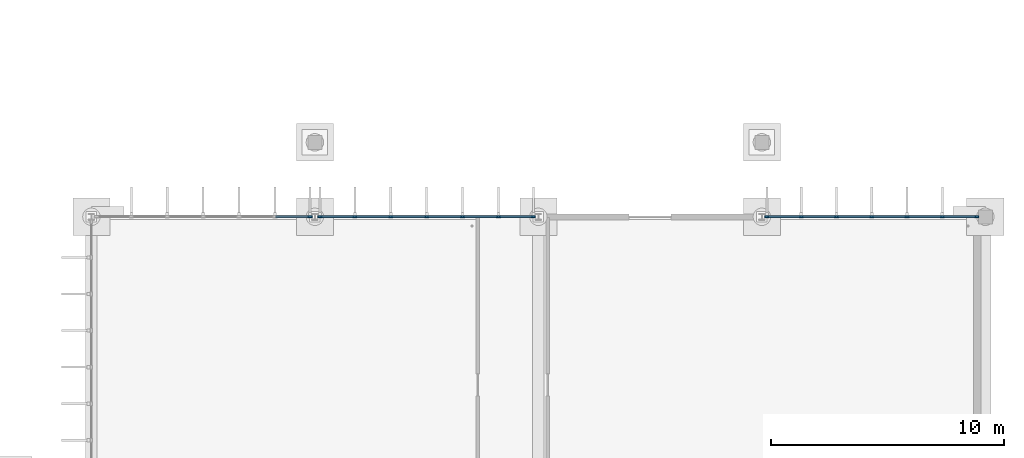
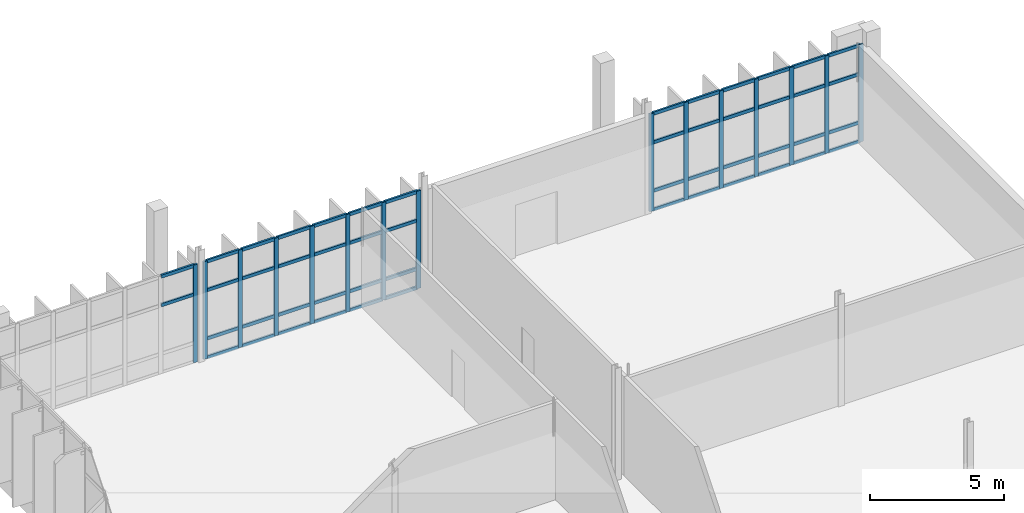
# One storey, part 40 of 111: 65 members, 3 elements without a shape of their own.
"""IFC4 building model written with IfcOpenShell, lengths in metres."""

from ifc_helpers import new_model, si_unit, direction, frame, origin, origin_2d, place, context, subcontext, project, spatial, rectangle, extrude, material, material_profile, profile_set, type_object, element, aggregate, save


model = new_model("IFC4")

# Units and contexts
model_context = context("Model", 3, precision=1e-05, world=origin(), true_north=direction((0.0, 1.0)))
body_context = subcontext(model_context, "Body", "Model", "MODEL_VIEW")
ifc_project = project(units=[si_unit("LENGTHUNIT", "METRE"), si_unit("AREAUNIT", "SQUARE_METRE"), si_unit("VOLUMEUNIT", "CUBIC_METRE"), si_unit("PLANEANGLEUNIT", "RADIAN"), si_unit("MASSUNIT", "GRAM", prefix="KILO")], contexts=[model_context])

# Site, building, storey
site_placement = place(None, origin())
site = spatial("IfcSite", under=ifc_project, at=site_placement, CompositionType="ELEMENT")
building_placement = place(site_placement, origin())
building = spatial("IfcBuilding", under=site, at=building_placement, Name="Dunescarp Central Library", CompositionType="ELEMENT")
storey_placement = place(building_placement, origin())
storey = spatial("IfcBuildingStorey", under=building, at=storey_placement, Name="L00", CompositionType="ELEMENT", Elevation=0.0)

# Curtain wall, member
ifc_material = material(Name="Marine-grade anodised aluminium 6063-T6", Category="aluminium")
curtain_wall_type = type_object("IfcCurtainWallType", Name="ARC-CW-STICK", PredefinedType="NOTDEFINED", material=ifc_material)
curtain_wall_1_placement = place(storey_placement, origin())
curtain_wall_1 = element("IfcCurtainWall", 1, at=curtain_wall_1_placement, inside=storey, type_object=curtain_wall_type, Name="L00 curtain wall CW-V5-149", PredefinedType="NOTDEFINED")
ifc_material_profile_1 = material_profile(ifc_material, rectangle(XDim=0.080078125, YDim=0.179931640625, at=origin_2d()), Name="AL 80x180")
ifc_profile_set_1 = profile_set([ifc_material_profile_1], Name="Marine-grade anodised aluminium 6063-T6")
member_type_1 = type_object("IfcMemberType", Name="ARC-CWM-180", PredefinedType="MULLION", material=ifc_profile_set_1)
member_1_placement = place(storey_placement, frame((138.985107421875, 44.800048828125, 0.0), z_axis=(0.0, 0.0, 1.0), x_axis=(0.0, 1.0, 0.0)))
member_1 = element("IfcMember", 2, at=member_1_placement, type_object=member_type_1, Name="CW-V5-149 mullion 7", PredefinedType="MULLION", context=body_context, shape_type="SweptSolid", body=[
    extrude(rectangle(XDim=0.080078125, YDim=0.179931640625, at=origin_2d()), origin(), (0.0, 0.0, 1.0), 4.44189453125),
])

# Curtain wall, members
curtain_wall_2_placement = place(storey_placement, origin())
curtain_wall_2 = element("IfcCurtainWall", 3, at=curtain_wall_2_placement, inside=storey, type_object=curtain_wall_type, Name="L00 curtain wall CW-V5-150", PredefinedType="NOTDEFINED")
member_2_placement = place(storey_placement, frame((139.4150390625, 44.800048828125, 0.0), z_axis=(0.0, 0.0, 1.0), x_axis=(0.0, 1.0, 0.0)))
member_2 = element("IfcMember", 4, at=member_2_placement, type_object=member_type_1, Name="CW-V5-150 mullion 1", PredefinedType="MULLION", context=body_context, shape_type="SweptSolid", body=[
    extrude(rectangle(XDim=0.080078125, YDim=0.179931640625, at=origin_2d()), origin(), (0.0, 0.0, 1.0), 4.44189453125),
])
member_3_placement = place(storey_placement, frame((140.916748046875, 44.800048828125, 0.0), z_axis=(0.0, 0.0, 1.0), x_axis=(0.0, 1.0, 0.0)))
member_3 = element("IfcMember", 5, at=member_3_placement, type_object=member_type_1, Name="CW-V5-150 mullion 2", PredefinedType="MULLION", context=body_context, shape_type="SweptSolid", body=[
    extrude(rectangle(XDim=0.080078125, YDim=0.179931640625, at=origin_2d()), origin(), (0.0, 0.0, 1.0), 4.44189453125),
])
member_4_placement = place(storey_placement, frame((142.458251953125, 44.800048828125, 0.0), z_axis=(0.0, 0.0, 1.0), x_axis=(0.0, 1.0, 0.0)))
member_4 = element("IfcMember", 6, at=member_4_placement, type_object=member_type_1, Name="CW-V5-150 mullion 3", PredefinedType="MULLION", context=body_context, shape_type="SweptSolid", body=[
    extrude(rectangle(XDim=0.080078125, YDim=0.179931640625, at=origin_2d()), origin(), (0.0, 0.0, 1.0), 4.44189453125),
])
member_5_placement = place(storey_placement, frame((144.0, 44.800048828125, 0.0), z_axis=(0.0, 0.0, 1.0), x_axis=(0.0, 1.0, 0.0)))
member_5 = element("IfcMember", 7, at=member_5_placement, type_object=member_type_1, Name="CW-V5-150 mullion 4", PredefinedType="MULLION", context=body_context, shape_type="SweptSolid", body=[
    extrude(rectangle(XDim=0.080078125, YDim=0.179931640625, at=origin_2d()), origin(), (0.0, 0.0, 1.0), 4.44189453125),
])
member_6_placement = place(storey_placement, frame((145.541748046875, 44.800048828125, 0.0), z_axis=(0.0, 0.0, 1.0), x_axis=(0.0, 1.0, 0.0)))
member_6 = element("IfcMember", 8, at=member_6_placement, type_object=member_type_1, Name="CW-V5-150 mullion 5", PredefinedType="MULLION", context=body_context, shape_type="SweptSolid", body=[
    extrude(rectangle(XDim=0.080078125, YDim=0.179931640625, at=origin_2d()), origin(), (0.0, 0.0, 1.0), 4.44189453125),
])
member_7_placement = place(storey_placement, frame((147.083251953125, 44.800048828125, 0.0), z_axis=(0.0, 0.0, 1.0), x_axis=(0.0, 1.0, 0.0)))
member_7 = element("IfcMember", 9, at=member_7_placement, type_object=member_type_1, Name="CW-V5-150 mullion 6", PredefinedType="MULLION", context=body_context, shape_type="SweptSolid", body=[
    extrude(rectangle(XDim=0.080078125, YDim=0.179931640625, at=origin_2d()), origin(), (0.0, 0.0, 1.0), 4.44189453125),
])
member_8_placement = place(storey_placement, frame((148.5849609375, 44.800048828125, 0.0), z_axis=(0.0, 0.0, 1.0), x_axis=(0.0, 1.0, 0.0)))
member_8 = element("IfcMember", 10, at=member_8_placement, type_object=member_type_1, Name="CW-V5-150 mullion 7", PredefinedType="MULLION", context=body_context, shape_type="SweptSolid", body=[
    extrude(rectangle(XDim=0.080078125, YDim=0.179931640625, at=origin_2d()), origin(), (0.0, 0.0, 1.0), 4.44189453125),
])

curtain_wall_3_placement = place(storey_placement, origin())
curtain_wall_3 = element("IfcCurtainWall", 11, at=curtain_wall_3_placement, inside=storey, type_object=curtain_wall_type, Name="L00 curtain wall CW-V5-151", PredefinedType="NOTDEFINED")
member_9_placement = place(storey_placement, frame((158.614990234375, 44.800048828125, 0.0), z_axis=(0.0, 0.0, 1.0), x_axis=(0.0, 1.0, 0.0)))
member_9 = element("IfcMember", 12, at=member_9_placement, type_object=member_type_1, Name="CW-V5-151 mullion 1", PredefinedType="MULLION", context=body_context, shape_type="SweptSolid", body=[
    extrude(rectangle(XDim=0.080078125, YDim=0.179931640625, at=origin_2d()), origin(), (0.0, 0.0, 1.0), 4.44189453125),
])
member_10_placement = place(storey_placement, frame((160.090087890625, 44.800048828125, 0.0), z_axis=(0.0, 0.0, 1.0), x_axis=(0.0, 1.0, 0.0)))
member_10 = element("IfcMember", 13, at=member_10_placement, type_object=member_type_1, Name="CW-V5-151 mullion 2", PredefinedType="MULLION", context=body_context, shape_type="SweptSolid", body=[
    extrude(rectangle(XDim=0.080078125, YDim=0.179931640625, at=origin_2d()), origin(), (0.0, 0.0, 1.0), 4.44189453125),
])
member_11_placement = place(storey_placement, frame((161.60498046875, 44.800048828125, 0.0), z_axis=(0.0, 0.0, 1.0), x_axis=(0.0, 1.0, 0.0)))
member_11 = element("IfcMember", 14, at=member_11_placement, type_object=member_type_1, Name="CW-V5-151 mullion 3", PredefinedType="MULLION", context=body_context, shape_type="SweptSolid", body=[
    extrude(rectangle(XDim=0.080078125, YDim=0.179931640625, at=origin_2d()), origin(), (0.0, 0.0, 1.0), 4.44189453125),
])
member_12_placement = place(storey_placement, frame((163.1201171875, 44.800048828125, 0.0), z_axis=(0.0, 0.0, 1.0), x_axis=(0.0, 1.0, 0.0)))
member_12 = element("IfcMember", 15, at=member_12_placement, type_object=member_type_1, Name="CW-V5-151 mullion 4", PredefinedType="MULLION", context=body_context, shape_type="SweptSolid", body=[
    extrude(rectangle(XDim=0.080078125, YDim=0.179931640625, at=origin_2d()), origin(), (0.0, 0.0, 1.0), 4.44189453125),
])
member_13_placement = place(storey_placement, frame((164.635009765625, 44.800048828125, 0.0), z_axis=(0.0, 0.0, 1.0), x_axis=(0.0, 1.0, 0.0)))
member_13 = element("IfcMember", 16, at=member_13_placement, type_object=member_type_1, Name="CW-V5-151 mullion 5", PredefinedType="MULLION", context=body_context, shape_type="SweptSolid", body=[
    extrude(rectangle(XDim=0.080078125, YDim=0.179931640625, at=origin_2d()), origin(), (0.0, 0.0, 1.0), 4.44189453125),
])
member_14_placement = place(storey_placement, frame((166.14990234375, 44.800048828125, 0.0), z_axis=(0.0, 0.0, 1.0), x_axis=(0.0, 1.0, 0.0)))
member_14 = element("IfcMember", 17, at=member_14_placement, type_object=member_type_1, Name="CW-V5-151 mullion 6", PredefinedType="MULLION", context=body_context, shape_type="SweptSolid", body=[
    extrude(rectangle(XDim=0.080078125, YDim=0.179931640625, at=origin_2d()), origin(), (0.0, 0.0, 1.0), 4.44189453125),
])
member_15_placement = place(storey_placement, frame((167.625, 44.800048828125, 0.0), z_axis=(0.0, 0.0, 1.0), x_axis=(0.0, 1.0, 0.0)))
member_15 = element("IfcMember", 18, at=member_15_placement, type_object=member_type_1, Name="CW-V5-151 mullion 7", PredefinedType="MULLION", context=body_context, shape_type="SweptSolid", body=[
    extrude(rectangle(XDim=0.080078125, YDim=0.179931640625, at=origin_2d()), origin(), (0.0, 0.0, 1.0), 4.44189453125),
])

# Member
ifc_material_profile_2 = material_profile(ifc_material, rectangle(XDim=0.080078125, YDim=0.14990234375, at=origin_2d()), Name="AL 80x150")
ifc_profile_set_2 = profile_set([ifc_material_profile_2], Name="Marine-grade anodised aluminium 6063-T6")
member_type_2 = type_object("IfcMemberType", Name="ARC-CWT-150", PredefinedType="USERDEFINED", material=ifc_profile_set_2)
member_16_placement = place(storey_placement, frame((137.5234375, 44.800048828125, 3.10009765625), z_axis=(1.0, 0.0, 0.0), x_axis=(0.0, 1.0, 0.0)))
member_16 = element("IfcMember", 19, at=member_16_placement, type_object=member_type_2, Name="CW-V5-149 transom 6.3", ObjectType="TRANSOM", PredefinedType="USERDEFINED", context=body_context, shape_type="SweptSolid", body=[
    extrude(rectangle(XDim=0.080078125, YDim=0.14990234375, at=origin_2d()), origin(), (0.0, 0.0, 1.0), 1.421630859375),
])

member_17_placement = place(storey_placement, frame((137.5234375, 44.800048828125, 4.402099609375), z_axis=(1.0, 0.0, 0.0), x_axis=(0.0, 1.0, 0.0)))
member_17 = element("IfcMember", 20, at=member_17_placement, type_object=member_type_2, Name="CW-V5-149 transom 6.4", ObjectType="TRANSOM", PredefinedType="USERDEFINED", context=body_context, shape_type="SweptSolid", body=[
    extrude(rectangle(XDim=0.080078125, YDim=0.14990234375, at=origin_2d()), origin(), (0.0, 0.0, 1.0), 1.421630859375),
])

aggregate(curtain_wall_1, [member_1, member_16, member_17])

member_18_placement = place(storey_placement, frame((139.455078125, 44.800048828125, 0.0400390625), z_axis=(1.0, 0.0, 0.0), x_axis=(0.0, 1.0, 0.0)))
member_18 = element("IfcMember", 21, at=member_18_placement, type_object=member_type_2, Name="CW-V5-150 transom 1.1", ObjectType="TRANSOM", PredefinedType="USERDEFINED", context=body_context, shape_type="SweptSolid", body=[
    extrude(rectangle(XDim=0.080078125, YDim=0.14990234375, at=origin_2d()), origin(), (0.0, 0.0, 1.0), 1.421630859375),
])

member_19_placement = place(storey_placement, frame((139.455078125, 44.800048828125, 0.89990234375), z_axis=(1.0, 0.0, 0.0), x_axis=(0.0, 1.0, 0.0)))
member_19 = element("IfcMember", 22, at=member_19_placement, type_object=member_type_2, Name="CW-V5-150 transom 1.2", ObjectType="TRANSOM", PredefinedType="USERDEFINED", context=body_context, shape_type="SweptSolid", body=[
    extrude(rectangle(XDim=0.080078125, YDim=0.14990234375, at=origin_2d()), origin(), (0.0, 0.0, 1.0), 1.421630859375),
])

member_20_placement = place(storey_placement, frame((139.455078125, 44.800048828125, 3.10009765625), z_axis=(1.0, 0.0, 0.0), x_axis=(0.0, 1.0, 0.0)))
member_20 = element("IfcMember", 23, at=member_20_placement, type_object=member_type_2, Name="CW-V5-150 transom 1.3", ObjectType="TRANSOM", PredefinedType="USERDEFINED", context=body_context, shape_type="SweptSolid", body=[
    extrude(rectangle(XDim=0.080078125, YDim=0.14990234375, at=origin_2d()), origin(), (0.0, 0.0, 1.0), 1.421630859375),
])

member_21_placement = place(storey_placement, frame((139.455078125, 44.800048828125, 4.402099609375), z_axis=(1.0, 0.0, 0.0), x_axis=(0.0, 1.0, 0.0)))
member_21 = element("IfcMember", 24, at=member_21_placement, type_object=member_type_2, Name="CW-V5-150 transom 1.4", ObjectType="TRANSOM", PredefinedType="USERDEFINED", context=body_context, shape_type="SweptSolid", body=[
    extrude(rectangle(XDim=0.080078125, YDim=0.14990234375, at=origin_2d()), origin(), (0.0, 0.0, 1.0), 1.421630859375),
])

member_22_placement = place(storey_placement, frame((140.956787109375, 44.800048828125, 0.0400390625), z_axis=(1.0, 0.0, 0.0), x_axis=(0.0, 1.0, 0.0)))
member_22 = element("IfcMember", 25, at=member_22_placement, type_object=member_type_2, Name="CW-V5-150 transom 2.1", ObjectType="TRANSOM", PredefinedType="USERDEFINED", context=body_context, shape_type="SweptSolid", body=[
    extrude(rectangle(XDim=0.080078125, YDim=0.14990234375, at=origin_2d()), origin(), (0.0, 0.0, 1.0), 1.46142578125),
])

member_23_placement = place(storey_placement, frame((140.956787109375, 44.800048828125, 0.89990234375), z_axis=(1.0, 0.0, 0.0), x_axis=(0.0, 1.0, 0.0)))
member_23 = element("IfcMember", 26, at=member_23_placement, type_object=member_type_2, Name="CW-V5-150 transom 2.2", ObjectType="TRANSOM", PredefinedType="USERDEFINED", context=body_context, shape_type="SweptSolid", body=[
    extrude(rectangle(XDim=0.080078125, YDim=0.14990234375, at=origin_2d()), origin(), (0.0, 0.0, 1.0), 1.46142578125),
])

member_24_placement = place(storey_placement, frame((140.956787109375, 44.800048828125, 3.10009765625), z_axis=(1.0, 0.0, 0.0), x_axis=(0.0, 1.0, 0.0)))
member_24 = element("IfcMember", 27, at=member_24_placement, type_object=member_type_2, Name="CW-V5-150 transom 2.3", ObjectType="TRANSOM", PredefinedType="USERDEFINED", context=body_context, shape_type="SweptSolid", body=[
    extrude(rectangle(XDim=0.080078125, YDim=0.14990234375, at=origin_2d()), origin(), (0.0, 0.0, 1.0), 1.46142578125),
])

member_25_placement = place(storey_placement, frame((140.956787109375, 44.800048828125, 4.402099609375), z_axis=(1.0, 0.0, 0.0), x_axis=(0.0, 1.0, 0.0)))
member_25 = element("IfcMember", 28, at=member_25_placement, type_object=member_type_2, Name="CW-V5-150 transom 2.4", ObjectType="TRANSOM", PredefinedType="USERDEFINED", context=body_context, shape_type="SweptSolid", body=[
    extrude(rectangle(XDim=0.080078125, YDim=0.14990234375, at=origin_2d()), origin(), (0.0, 0.0, 1.0), 1.46142578125),
])

member_26_placement = place(storey_placement, frame((142.498291015625, 44.800048828125, 0.0400390625), z_axis=(1.0, 0.0, 0.0), x_axis=(0.0, 1.0, 0.0)))
member_26 = element("IfcMember", 29, at=member_26_placement, type_object=member_type_2, Name="CW-V5-150 transom 3.1", ObjectType="TRANSOM", PredefinedType="USERDEFINED", context=body_context, shape_type="SweptSolid", body=[
    extrude(rectangle(XDim=0.080078125, YDim=0.14990234375, at=origin_2d()), origin(), (0.0, 0.0, 1.0), 1.461669921875),
])

member_27_placement = place(storey_placement, frame((142.498291015625, 44.800048828125, 0.89990234375), z_axis=(1.0, 0.0, 0.0), x_axis=(0.0, 1.0, 0.0)))
member_27 = element("IfcMember", 30, at=member_27_placement, type_object=member_type_2, Name="CW-V5-150 transom 3.2", ObjectType="TRANSOM", PredefinedType="USERDEFINED", context=body_context, shape_type="SweptSolid", body=[
    extrude(rectangle(XDim=0.080078125, YDim=0.14990234375, at=origin_2d()), origin(), (0.0, 0.0, 1.0), 1.461669921875),
])

member_28_placement = place(storey_placement, frame((142.498291015625, 44.800048828125, 3.10009765625), z_axis=(1.0, 0.0, 0.0), x_axis=(0.0, 1.0, 0.0)))
member_28 = element("IfcMember", 31, at=member_28_placement, type_object=member_type_2, Name="CW-V5-150 transom 3.3", ObjectType="TRANSOM", PredefinedType="USERDEFINED", context=body_context, shape_type="SweptSolid", body=[
    extrude(rectangle(XDim=0.080078125, YDim=0.14990234375, at=origin_2d()), origin(), (0.0, 0.0, 1.0), 1.461669921875),
])

member_29_placement = place(storey_placement, frame((142.498291015625, 44.800048828125, 4.402099609375), z_axis=(1.0, 0.0, 0.0), x_axis=(0.0, 1.0, 0.0)))
member_29 = element("IfcMember", 32, at=member_29_placement, type_object=member_type_2, Name="CW-V5-150 transom 3.4", ObjectType="TRANSOM", PredefinedType="USERDEFINED", context=body_context, shape_type="SweptSolid", body=[
    extrude(rectangle(XDim=0.080078125, YDim=0.14990234375, at=origin_2d()), origin(), (0.0, 0.0, 1.0), 1.461669921875),
])

member_30_placement = place(storey_placement, frame((144.0400390625, 44.800048828125, 0.0400390625), z_axis=(1.0, 0.0, 0.0), x_axis=(0.0, 1.0, 0.0)))
member_30 = element("IfcMember", 33, at=member_30_placement, type_object=member_type_2, Name="CW-V5-150 transom 4.1", ObjectType="TRANSOM", PredefinedType="USERDEFINED", context=body_context, shape_type="SweptSolid", body=[
    extrude(rectangle(XDim=0.080078125, YDim=0.14990234375, at=origin_2d()), origin(), (0.0, 0.0, 1.0), 1.461669921875),
])

member_31_placement = place(storey_placement, frame((144.0400390625, 44.800048828125, 0.89990234375), z_axis=(1.0, 0.0, 0.0), x_axis=(0.0, 1.0, 0.0)))
member_31 = element("IfcMember", 34, at=member_31_placement, type_object=member_type_2, Name="CW-V5-150 transom 4.2", ObjectType="TRANSOM", PredefinedType="USERDEFINED", context=body_context, shape_type="SweptSolid", body=[
    extrude(rectangle(XDim=0.080078125, YDim=0.14990234375, at=origin_2d()), origin(), (0.0, 0.0, 1.0), 1.461669921875),
])

member_32_placement = place(storey_placement, frame((144.0400390625, 44.800048828125, 3.10009765625), z_axis=(1.0, 0.0, 0.0), x_axis=(0.0, 1.0, 0.0)))
member_32 = element("IfcMember", 35, at=member_32_placement, type_object=member_type_2, Name="CW-V5-150 transom 4.3", ObjectType="TRANSOM", PredefinedType="USERDEFINED", context=body_context, shape_type="SweptSolid", body=[
    extrude(rectangle(XDim=0.080078125, YDim=0.14990234375, at=origin_2d()), origin(), (0.0, 0.0, 1.0), 1.461669921875),
])

member_33_placement = place(storey_placement, frame((144.0400390625, 44.800048828125, 4.402099609375), z_axis=(1.0, 0.0, 0.0), x_axis=(0.0, 1.0, 0.0)))
member_33 = element("IfcMember", 36, at=member_33_placement, type_object=member_type_2, Name="CW-V5-150 transom 4.4", ObjectType="TRANSOM", PredefinedType="USERDEFINED", context=body_context, shape_type="SweptSolid", body=[
    extrude(rectangle(XDim=0.080078125, YDim=0.14990234375, at=origin_2d()), origin(), (0.0, 0.0, 1.0), 1.461669921875),
])

member_34_placement = place(storey_placement, frame((145.581787109375, 44.800048828125, 0.0400390625), z_axis=(1.0, 0.0, 0.0), x_axis=(0.0, 1.0, 0.0)))
member_34 = element("IfcMember", 37, at=member_34_placement, type_object=member_type_2, Name="CW-V5-150 transom 5.1", ObjectType="TRANSOM", PredefinedType="USERDEFINED", context=body_context, shape_type="SweptSolid", body=[
    extrude(rectangle(XDim=0.080078125, YDim=0.14990234375, at=origin_2d()), origin(), (0.0, 0.0, 1.0), 1.46142578125),
])

member_35_placement = place(storey_placement, frame((145.581787109375, 44.800048828125, 0.89990234375), z_axis=(1.0, 0.0, 0.0), x_axis=(0.0, 1.0, 0.0)))
member_35 = element("IfcMember", 38, at=member_35_placement, type_object=member_type_2, Name="CW-V5-150 transom 5.2", ObjectType="TRANSOM", PredefinedType="USERDEFINED", context=body_context, shape_type="SweptSolid", body=[
    extrude(rectangle(XDim=0.080078125, YDim=0.14990234375, at=origin_2d()), origin(), (0.0, 0.0, 1.0), 1.46142578125),
])

member_36_placement = place(storey_placement, frame((145.581787109375, 44.800048828125, 3.10009765625), z_axis=(1.0, 0.0, 0.0), x_axis=(0.0, 1.0, 0.0)))
member_36 = element("IfcMember", 39, at=member_36_placement, type_object=member_type_2, Name="CW-V5-150 transom 5.3", ObjectType="TRANSOM", PredefinedType="USERDEFINED", context=body_context, shape_type="SweptSolid", body=[
    extrude(rectangle(XDim=0.080078125, YDim=0.14990234375, at=origin_2d()), origin(), (0.0, 0.0, 1.0), 1.46142578125),
])

member_37_placement = place(storey_placement, frame((145.581787109375, 44.800048828125, 4.402099609375), z_axis=(1.0, 0.0, 0.0), x_axis=(0.0, 1.0, 0.0)))
member_37 = element("IfcMember", 40, at=member_37_placement, type_object=member_type_2, Name="CW-V5-150 transom 5.4", ObjectType="TRANSOM", PredefinedType="USERDEFINED", context=body_context, shape_type="SweptSolid", body=[
    extrude(rectangle(XDim=0.080078125, YDim=0.14990234375, at=origin_2d()), origin(), (0.0, 0.0, 1.0), 1.46142578125),
])

member_38_placement = place(storey_placement, frame((147.123291015625, 44.800048828125, 0.0400390625), z_axis=(1.0, 0.0, 0.0), x_axis=(0.0, 1.0, 0.0)))
member_38 = element("IfcMember", 41, at=member_38_placement, type_object=member_type_2, Name="CW-V5-150 transom 6.1", ObjectType="TRANSOM", PredefinedType="USERDEFINED", context=body_context, shape_type="SweptSolid", body=[
    extrude(rectangle(XDim=0.080078125, YDim=0.14990234375, at=origin_2d()), origin(), (0.0, 0.0, 1.0), 1.421630859375),
])

member_39_placement = place(storey_placement, frame((147.123291015625, 44.800048828125, 0.89990234375), z_axis=(1.0, 0.0, 0.0), x_axis=(0.0, 1.0, 0.0)))
member_39 = element("IfcMember", 42, at=member_39_placement, type_object=member_type_2, Name="CW-V5-150 transom 6.2", ObjectType="TRANSOM", PredefinedType="USERDEFINED", context=body_context, shape_type="SweptSolid", body=[
    extrude(rectangle(XDim=0.080078125, YDim=0.14990234375, at=origin_2d()), origin(), (0.0, 0.0, 1.0), 1.421630859375),
])

member_40_placement = place(storey_placement, frame((147.123291015625, 44.800048828125, 3.10009765625), z_axis=(1.0, 0.0, 0.0), x_axis=(0.0, 1.0, 0.0)))
member_40 = element("IfcMember", 43, at=member_40_placement, type_object=member_type_2, Name="CW-V5-150 transom 6.3", ObjectType="TRANSOM", PredefinedType="USERDEFINED", context=body_context, shape_type="SweptSolid", body=[
    extrude(rectangle(XDim=0.080078125, YDim=0.14990234375, at=origin_2d()), origin(), (0.0, 0.0, 1.0), 1.421630859375),
])

member_41_placement = place(storey_placement, frame((147.123291015625, 44.800048828125, 4.402099609375), z_axis=(1.0, 0.0, 0.0), x_axis=(0.0, 1.0, 0.0)))
member_41 = element("IfcMember", 44, at=member_41_placement, type_object=member_type_2, Name="CW-V5-150 transom 6.4", ObjectType="TRANSOM", PredefinedType="USERDEFINED", context=body_context, shape_type="SweptSolid", body=[
    extrude(rectangle(XDim=0.080078125, YDim=0.14990234375, at=origin_2d()), origin(), (0.0, 0.0, 1.0), 1.421630859375),
])

aggregate(curtain_wall_2, [member_2, member_3, member_4, member_5, member_6, member_7, member_8, member_18, member_19, member_20, member_21, member_22, member_23, member_24, member_25, member_26, member_27, member_28, member_29, member_30, member_31, member_32, member_33, member_34, member_35, member_36, member_37, member_38, member_39, member_40, member_41])

member_42_placement = place(storey_placement, frame((158.655029296875, 44.800048828125, 0.0400390625), z_axis=(1.0, 0.0, 0.0), x_axis=(0.0, 1.0, 0.0)))
member_42 = element("IfcMember", 45, at=member_42_placement, type_object=member_type_2, Name="CW-V5-151 transom 1.1", ObjectType="TRANSOM", PredefinedType="USERDEFINED", context=body_context, shape_type="SweptSolid", body=[
    extrude(rectangle(XDim=0.080078125, YDim=0.14990234375, at=origin_2d()), origin(), (0.0, 0.0, 1.0), 1.39501953125),
])

member_43_placement = place(storey_placement, frame((158.655029296875, 44.800048828125, 0.89990234375), z_axis=(1.0, 0.0, 0.0), x_axis=(0.0, 1.0, 0.0)))
member_43 = element("IfcMember", 46, at=member_43_placement, type_object=member_type_2, Name="CW-V5-151 transom 1.2", ObjectType="TRANSOM", PredefinedType="USERDEFINED", context=body_context, shape_type="SweptSolid", body=[
    extrude(rectangle(XDim=0.080078125, YDim=0.14990234375, at=origin_2d()), origin(), (0.0, 0.0, 1.0), 1.39501953125),
])

member_44_placement = place(storey_placement, frame((158.655029296875, 44.800048828125, 3.10009765625), z_axis=(1.0, 0.0, 0.0), x_axis=(0.0, 1.0, 0.0)))
member_44 = element("IfcMember", 47, at=member_44_placement, type_object=member_type_2, Name="CW-V5-151 transom 1.3", ObjectType="TRANSOM", PredefinedType="USERDEFINED", context=body_context, shape_type="SweptSolid", body=[
    extrude(rectangle(XDim=0.080078125, YDim=0.14990234375, at=origin_2d()), origin(), (0.0, 0.0, 1.0), 1.39501953125),
])

member_45_placement = place(storey_placement, frame((158.655029296875, 44.800048828125, 4.402099609375), z_axis=(1.0, 0.0, 0.0), x_axis=(0.0, 1.0, 0.0)))
member_45 = element("IfcMember", 48, at=member_45_placement, type_object=member_type_2, Name="CW-V5-151 transom 1.4", ObjectType="TRANSOM", PredefinedType="USERDEFINED", context=body_context, shape_type="SweptSolid", body=[
    extrude(rectangle(XDim=0.080078125, YDim=0.14990234375, at=origin_2d()), origin(), (0.0, 0.0, 1.0), 1.39501953125),
])

member_46_placement = place(storey_placement, frame((160.1298828125, 44.800048828125, 0.0400390625), z_axis=(1.0, 0.0, 0.0), x_axis=(0.0, 1.0, 0.0)))
member_46 = element("IfcMember", 49, at=member_46_placement, type_object=member_type_2, Name="CW-V5-151 transom 2.1", ObjectType="TRANSOM", PredefinedType="USERDEFINED", context=body_context, shape_type="SweptSolid", body=[
    extrude(rectangle(XDim=0.080078125, YDim=0.14990234375, at=origin_2d()), origin(), (0.0, 0.0, 1.0), 1.43505859375),
])

member_47_placement = place(storey_placement, frame((160.1298828125, 44.800048828125, 0.89990234375), z_axis=(1.0, 0.0, 0.0), x_axis=(0.0, 1.0, 0.0)))
member_47 = element("IfcMember", 50, at=member_47_placement, type_object=member_type_2, Name="CW-V5-151 transom 2.2", ObjectType="TRANSOM", PredefinedType="USERDEFINED", context=body_context, shape_type="SweptSolid", body=[
    extrude(rectangle(XDim=0.080078125, YDim=0.14990234375, at=origin_2d()), origin(), (0.0, 0.0, 1.0), 1.43505859375),
])

member_48_placement = place(storey_placement, frame((160.1298828125, 44.800048828125, 3.10009765625), z_axis=(1.0, 0.0, 0.0), x_axis=(0.0, 1.0, 0.0)))
member_48 = element("IfcMember", 51, at=member_48_placement, type_object=member_type_2, Name="CW-V5-151 transom 2.3", ObjectType="TRANSOM", PredefinedType="USERDEFINED", context=body_context, shape_type="SweptSolid", body=[
    extrude(rectangle(XDim=0.080078125, YDim=0.14990234375, at=origin_2d()), origin(), (0.0, 0.0, 1.0), 1.43505859375),
])

member_49_placement = place(storey_placement, frame((160.1298828125, 44.800048828125, 4.402099609375), z_axis=(1.0, 0.0, 0.0), x_axis=(0.0, 1.0, 0.0)))
member_49 = element("IfcMember", 52, at=member_49_placement, type_object=member_type_2, Name="CW-V5-151 transom 2.4", ObjectType="TRANSOM", PredefinedType="USERDEFINED", context=body_context, shape_type="SweptSolid", body=[
    extrude(rectangle(XDim=0.080078125, YDim=0.14990234375, at=origin_2d()), origin(), (0.0, 0.0, 1.0), 1.43505859375),
])

member_50_placement = place(storey_placement, frame((161.64501953125, 44.800048828125, 0.0400390625), z_axis=(1.0, 0.0, 0.0), x_axis=(0.0, 1.0, 0.0)))
member_50 = element("IfcMember", 53, at=member_50_placement, type_object=member_type_2, Name="CW-V5-151 transom 3.1", ObjectType="TRANSOM", PredefinedType="USERDEFINED", context=body_context, shape_type="SweptSolid", body=[
    extrude(rectangle(XDim=0.080078125, YDim=0.14990234375, at=origin_2d()), origin(), (0.0, 0.0, 1.0), 1.43505859375),
])

member_51_placement = place(storey_placement, frame((161.64501953125, 44.800048828125, 0.89990234375), z_axis=(1.0, 0.0, 0.0), x_axis=(0.0, 1.0, 0.0)))
member_51 = element("IfcMember", 54, at=member_51_placement, type_object=member_type_2, Name="CW-V5-151 transom 3.2", ObjectType="TRANSOM", PredefinedType="USERDEFINED", context=body_context, shape_type="SweptSolid", body=[
    extrude(rectangle(XDim=0.080078125, YDim=0.14990234375, at=origin_2d()), origin(), (0.0, 0.0, 1.0), 1.43505859375),
])

member_52_placement = place(storey_placement, frame((161.64501953125, 44.800048828125, 3.10009765625), z_axis=(1.0, 0.0, 0.0), x_axis=(0.0, 1.0, 0.0)))
member_52 = element("IfcMember", 55, at=member_52_placement, type_object=member_type_2, Name="CW-V5-151 transom 3.3", ObjectType="TRANSOM", PredefinedType="USERDEFINED", context=body_context, shape_type="SweptSolid", body=[
    extrude(rectangle(XDim=0.080078125, YDim=0.14990234375, at=origin_2d()), origin(), (0.0, 0.0, 1.0), 1.43505859375),
])

member_53_placement = place(storey_placement, frame((161.64501953125, 44.800048828125, 4.402099609375), z_axis=(1.0, 0.0, 0.0), x_axis=(0.0, 1.0, 0.0)))
member_53 = element("IfcMember", 56, at=member_53_placement, type_object=member_type_2, Name="CW-V5-151 transom 3.4", ObjectType="TRANSOM", PredefinedType="USERDEFINED", context=body_context, shape_type="SweptSolid", body=[
    extrude(rectangle(XDim=0.080078125, YDim=0.14990234375, at=origin_2d()), origin(), (0.0, 0.0, 1.0), 1.43505859375),
])

member_54_placement = place(storey_placement, frame((163.159912109375, 44.800048828125, 0.0400390625), z_axis=(1.0, 0.0, 0.0), x_axis=(0.0, 1.0, 0.0)))
member_54 = element("IfcMember", 57, at=member_54_placement, type_object=member_type_2, Name="CW-V5-151 transom 4.1", ObjectType="TRANSOM", PredefinedType="USERDEFINED", context=body_context, shape_type="SweptSolid", body=[
    extrude(rectangle(XDim=0.080078125, YDim=0.14990234375, at=origin_2d()), origin(), (0.0, 0.0, 1.0), 1.43505859375),
])

member_55_placement = place(storey_placement, frame((163.159912109375, 44.800048828125, 0.89990234375), z_axis=(1.0, 0.0, 0.0), x_axis=(0.0, 1.0, 0.0)))
member_55 = element("IfcMember", 58, at=member_55_placement, type_object=member_type_2, Name="CW-V5-151 transom 4.2", ObjectType="TRANSOM", PredefinedType="USERDEFINED", context=body_context, shape_type="SweptSolid", body=[
    extrude(rectangle(XDim=0.080078125, YDim=0.14990234375, at=origin_2d()), origin(), (0.0, 0.0, 1.0), 1.43505859375),
])

member_56_placement = place(storey_placement, frame((163.159912109375, 44.800048828125, 3.10009765625), z_axis=(1.0, 0.0, 0.0), x_axis=(0.0, 1.0, 0.0)))
member_56 = element("IfcMember", 59, at=member_56_placement, type_object=member_type_2, Name="CW-V5-151 transom 4.3", ObjectType="TRANSOM", PredefinedType="USERDEFINED", context=body_context, shape_type="SweptSolid", body=[
    extrude(rectangle(XDim=0.080078125, YDim=0.14990234375, at=origin_2d()), origin(), (0.0, 0.0, 1.0), 1.43505859375),
])

member_57_placement = place(storey_placement, frame((163.159912109375, 44.800048828125, 4.402099609375), z_axis=(1.0, 0.0, 0.0), x_axis=(0.0, 1.0, 0.0)))
member_57 = element("IfcMember", 60, at=member_57_placement, type_object=member_type_2, Name="CW-V5-151 transom 4.4", ObjectType="TRANSOM", PredefinedType="USERDEFINED", context=body_context, shape_type="SweptSolid", body=[
    extrude(rectangle(XDim=0.080078125, YDim=0.14990234375, at=origin_2d()), origin(), (0.0, 0.0, 1.0), 1.43505859375),
])

member_58_placement = place(storey_placement, frame((164.675048828125, 44.800048828125, 0.0400390625), z_axis=(1.0, 0.0, 0.0), x_axis=(0.0, 1.0, 0.0)))
member_58 = element("IfcMember", 61, at=member_58_placement, type_object=member_type_2, Name="CW-V5-151 transom 5.1", ObjectType="TRANSOM", PredefinedType="USERDEFINED", context=body_context, shape_type="SweptSolid", body=[
    extrude(rectangle(XDim=0.080078125, YDim=0.14990234375, at=origin_2d()), origin(), (0.0, 0.0, 1.0), 1.43505859375),
])

member_59_placement = place(storey_placement, frame((164.675048828125, 44.800048828125, 0.89990234375), z_axis=(1.0, 0.0, 0.0), x_axis=(0.0, 1.0, 0.0)))
member_59 = element("IfcMember", 62, at=member_59_placement, type_object=member_type_2, Name="CW-V5-151 transom 5.2", ObjectType="TRANSOM", PredefinedType="USERDEFINED", context=body_context, shape_type="SweptSolid", body=[
    extrude(rectangle(XDim=0.080078125, YDim=0.14990234375, at=origin_2d()), origin(), (0.0, 0.0, 1.0), 1.43505859375),
])

member_60_placement = place(storey_placement, frame((164.675048828125, 44.800048828125, 3.10009765625), z_axis=(1.0, 0.0, 0.0), x_axis=(0.0, 1.0, 0.0)))
member_60 = element("IfcMember", 63, at=member_60_placement, type_object=member_type_2, Name="CW-V5-151 transom 5.3", ObjectType="TRANSOM", PredefinedType="USERDEFINED", context=body_context, shape_type="SweptSolid", body=[
    extrude(rectangle(XDim=0.080078125, YDim=0.14990234375, at=origin_2d()), origin(), (0.0, 0.0, 1.0), 1.43505859375),
])

member_61_placement = place(storey_placement, frame((164.675048828125, 44.800048828125, 4.402099609375), z_axis=(1.0, 0.0, 0.0), x_axis=(0.0, 1.0, 0.0)))
member_61 = element("IfcMember", 64, at=member_61_placement, type_object=member_type_2, Name="CW-V5-151 transom 5.4", ObjectType="TRANSOM", PredefinedType="USERDEFINED", context=body_context, shape_type="SweptSolid", body=[
    extrude(rectangle(XDim=0.080078125, YDim=0.14990234375, at=origin_2d()), origin(), (0.0, 0.0, 1.0), 1.43505859375),
])

member_62_placement = place(storey_placement, frame((166.18994140625, 44.800048828125, 0.0400390625), z_axis=(1.0, 0.0, 0.0), x_axis=(0.0, 1.0, 0.0)))
member_62 = element("IfcMember", 65, at=member_62_placement, type_object=member_type_2, Name="CW-V5-151 transom 6.1", ObjectType="TRANSOM", PredefinedType="USERDEFINED", context=body_context, shape_type="SweptSolid", body=[
    extrude(rectangle(XDim=0.080078125, YDim=0.14990234375, at=origin_2d()), origin(), (0.0, 0.0, 1.0), 1.39501953125),
])

member_63_placement = place(storey_placement, frame((166.18994140625, 44.800048828125, 0.89990234375), z_axis=(1.0, 0.0, 0.0), x_axis=(0.0, 1.0, 0.0)))
member_63 = element("IfcMember", 66, at=member_63_placement, type_object=member_type_2, Name="CW-V5-151 transom 6.2", ObjectType="TRANSOM", PredefinedType="USERDEFINED", context=body_context, shape_type="SweptSolid", body=[
    extrude(rectangle(XDim=0.080078125, YDim=0.14990234375, at=origin_2d()), origin(), (0.0, 0.0, 1.0), 1.39501953125),
])

member_64_placement = place(storey_placement, frame((166.18994140625, 44.800048828125, 3.10009765625), z_axis=(1.0, 0.0, 0.0), x_axis=(0.0, 1.0, 0.0)))
member_64 = element("IfcMember", 67, at=member_64_placement, type_object=member_type_2, Name="CW-V5-151 transom 6.3", ObjectType="TRANSOM", PredefinedType="USERDEFINED", context=body_context, shape_type="SweptSolid", body=[
    extrude(rectangle(XDim=0.080078125, YDim=0.14990234375, at=origin_2d()), origin(), (0.0, 0.0, 1.0), 1.39501953125),
])

member_65_placement = place(storey_placement, frame((166.18994140625, 44.800048828125, 4.402099609375), z_axis=(1.0, 0.0, 0.0), x_axis=(0.0, 1.0, 0.0)))
member_65 = element("IfcMember", 68, at=member_65_placement, type_object=member_type_2, Name="CW-V5-151 transom 6.4", ObjectType="TRANSOM", PredefinedType="USERDEFINED", context=body_context, shape_type="SweptSolid", body=[
    extrude(rectangle(XDim=0.080078125, YDim=0.14990234375, at=origin_2d()), origin(), (0.0, 0.0, 1.0), 1.39501953125),
])

aggregate(curtain_wall_3, [member_9, member_10, member_11, member_12, member_13, member_14, member_15, member_42, member_43, member_44, member_45, member_46, member_47, member_48, member_49, member_50, member_51, member_52, member_53, member_54, member_55, member_56, member_57, member_58, member_59, member_60, member_61, member_62, member_63, member_64, member_65])

save(model, "model.ifc")
